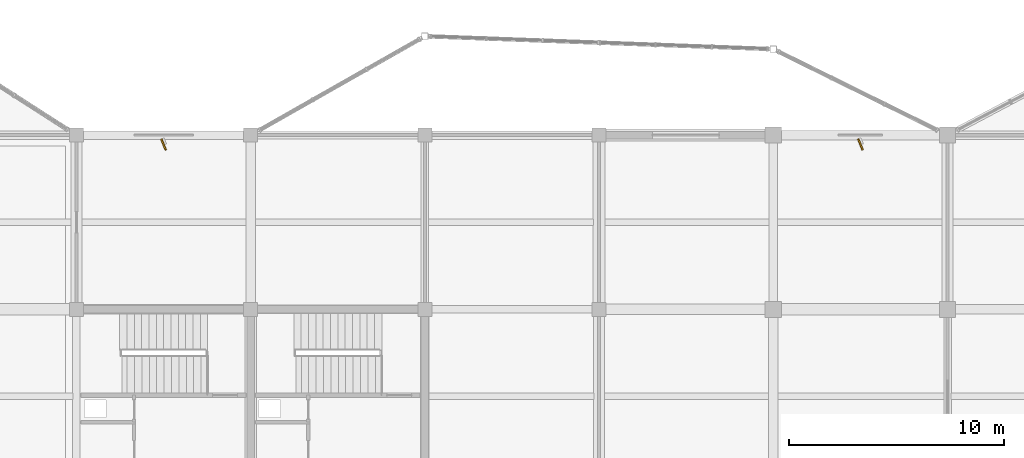
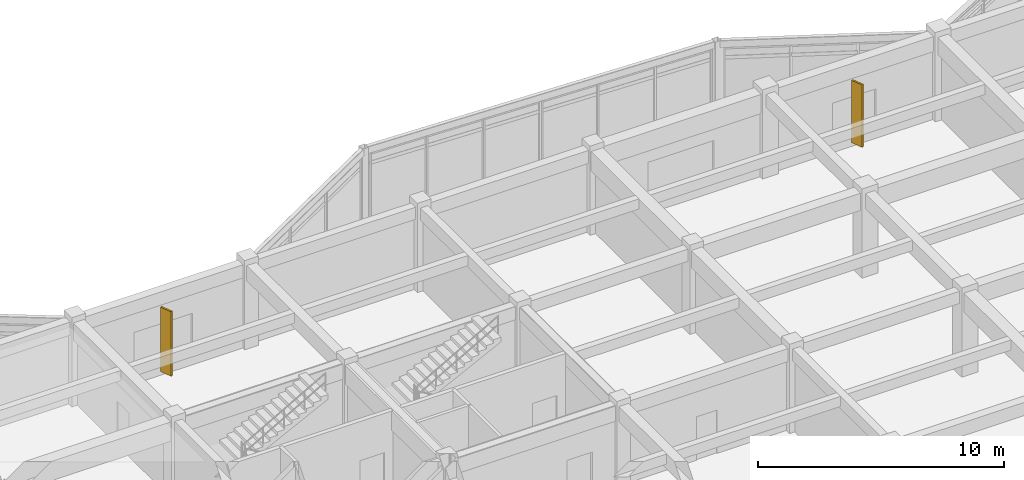
# One storey, part 89 of 89: 2 shading devices.
"""IFC4 building model written with IfcOpenShell, lengths in metres."""

from ifc_helpers import new_model, si_unit, direction, frame, origin, origin_2d, place, context, subcontext, project, spatial, rectangle, extrude, material, type_object, element, save


model = new_model("IFC4")

# Units and contexts
model_context = context("Model", 3, precision=1e-05, world=origin(), true_north=direction((0.0, 1.0)))
body_context = subcontext(model_context, "Body", "Model", "MODEL_VIEW")
ifc_project = project(units=[si_unit("LENGTHUNIT", "METRE"), si_unit("AREAUNIT", "SQUARE_METRE"), si_unit("VOLUMEUNIT", "CUBIC_METRE"), si_unit("PLANEANGLEUNIT", "RADIAN"), si_unit("MASSUNIT", "GRAM", prefix="KILO")], contexts=[model_context])

# Site, building, storey
site_placement = place(None, origin())
site = spatial("IfcSite", under=ifc_project, at=site_placement, CompositionType="ELEMENT")
building_placement = place(site_placement, origin())
building = spatial("IfcBuilding", under=site, at=building_placement, Name="Vaudrelin Polytechnic", CompositionType="ELEMENT")
storey_placement = place(building_placement, frame((0.0, 0.0, 9.68994140625)))
storey = spatial("IfcBuildingStorey", under=building, at=storey_placement, Name="L02", CompositionType="ELEMENT", Elevation=9.68994140625)

# Shading devices
ifc_material = material(Name="Anodised perforated aluminium AA 5005", Category="aluminium")
shading_device_type = type_object("IfcShadingDeviceType", Name="ENV-SF-FIN1", PredefinedType="USERDEFINED", material=ifc_material)
shading_device_1_placement = place(storey_placement, frame((109.35009765625, 121.06005859375, 0.2001953125), z_axis=(0.0, 0.0, 1.0), x_axis=(0.374606593416, -0.927183854567, 0.0)))
element("IfcShadingDevice", 1, at=shading_device_1_placement, inside=storey, type_object=shading_device_type, Name="Perforated solar fin SF-025", ObjectType="SOLAR FIN", PredefinedType="USERDEFINED", context=body_context, shape_type="SweptSolid", body=[
    extrude(rectangle(XDim=0.550048828125, YDim=0.080078125, at=origin_2d()), origin(), (0.0, 0.0, 1.0), 3.19189453125),
])
shading_device_2_placement = place(storey_placement, frame((141.75, 121.06494140625, 0.2001953125), z_axis=(0.0, 0.0, 1.0), x_axis=(0.374606593416, -0.927183854567, 0.0)))
element("IfcShadingDevice", 2, at=shading_device_2_placement, inside=storey, type_object=shading_device_type, Name="Perforated solar fin SF-026", ObjectType="SOLAR FIN", PredefinedType="USERDEFINED", context=body_context, shape_type="SweptSolid", body=[
    extrude(rectangle(XDim=0.550048828125, YDim=0.080078125, at=origin_2d()), origin(), (0.0, 0.0, 1.0), 3.092041015625),
])

save(model, "model.ifc")
